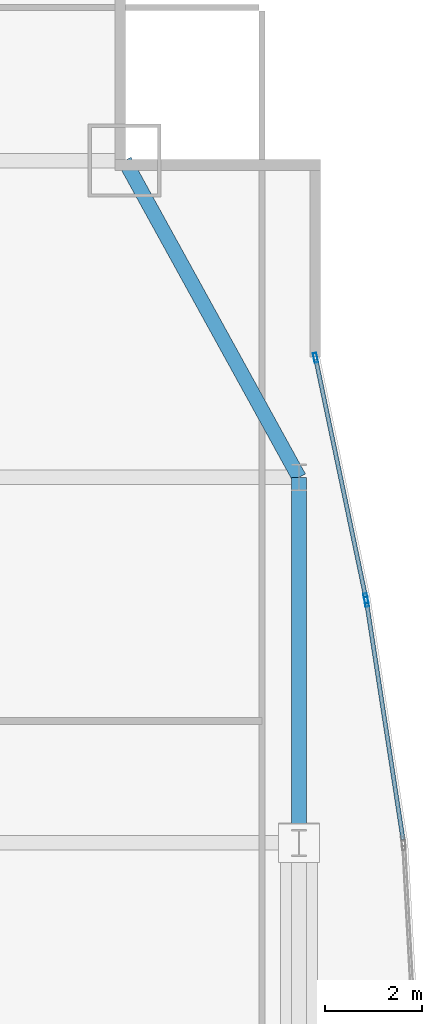
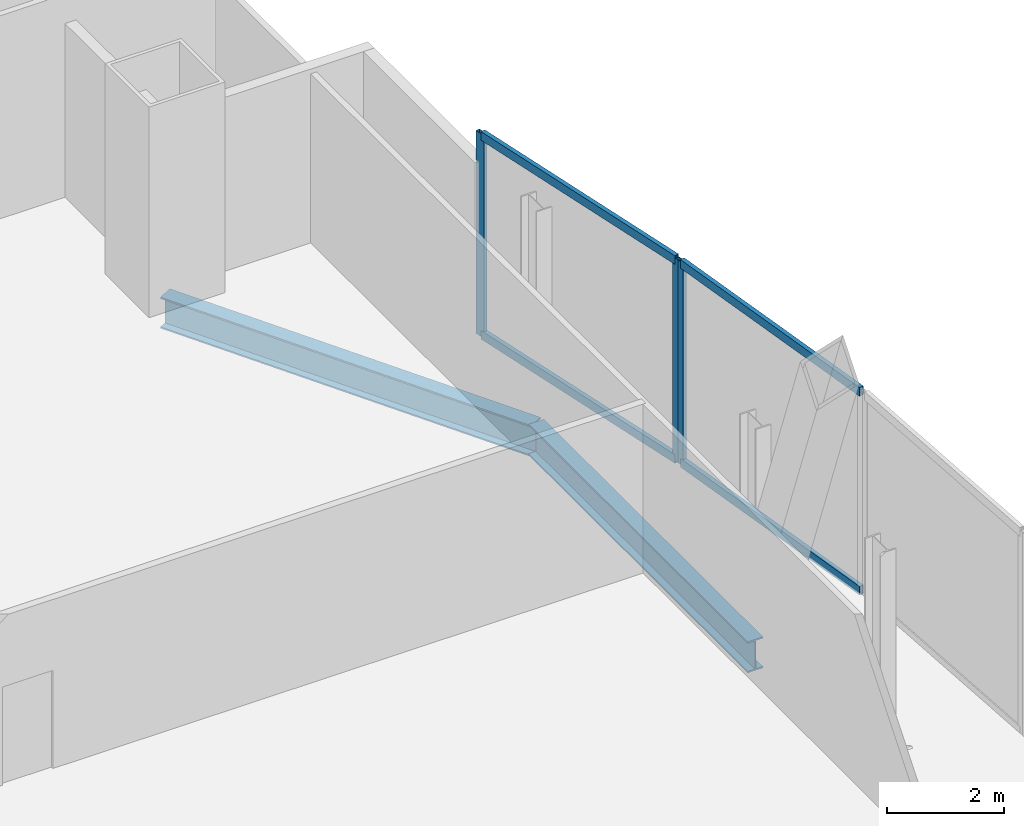
# One storey, part 24 of 32: 7 members, 2 beams, 2 elements without a shape of their own.
"""IFC4 building model written with IfcOpenShell, lengths in metres."""

from ifc_helpers import new_model, si_unit, direction, frame, origin, origin_2d, place, context, subcontext, project, spatial, hollow_rectangle, i_section, extrude, material, material_profile, profile_set, type_object, element, aggregate, save


model = new_model("IFC4")

# Units and contexts
model_context = context("Model", 3, precision=1e-05, world=origin(), true_north=direction((0.0, 1.0)))
body_context = subcontext(model_context, "Body", "Model", "MODEL_VIEW")
ifc_project = project(units=[si_unit("LENGTHUNIT", "METRE"), si_unit("AREAUNIT", "SQUARE_METRE"), si_unit("VOLUMEUNIT", "CUBIC_METRE"), si_unit("PLANEANGLEUNIT", "RADIAN"), si_unit("MASSUNIT", "GRAM", prefix="KILO")], contexts=[model_context])

# Site, building, storey
site_placement = place(None, origin())
site = spatial("IfcSite", under=ifc_project, at=site_placement, CompositionType="ELEMENT")
building_placement = place(site_placement, origin())
building = spatial("IfcBuilding", under=site, at=building_placement, Name="Khoronbel Lancet Exchange", CompositionType="ELEMENT")
storey_placement = place(building_placement, frame((0.0, 0.0, 106.60009765625)))
storey = spatial("IfcBuildingStorey", under=building, at=storey_placement, Name="L25", CompositionType="ELEMENT", Elevation=106.60009765625)

# Beams
ifc_material_1 = material(Name="Steel S355", Category="steel")
ifc_material_profile_1 = material_profile(ifc_material_1, i_section(OverallWidth=0.300048828125, OverallDepth=0.64990234375, WebThickness=0.01611328125, FlangeThickness=0.031005859375, at=origin_2d()), Name="HEB 650")
ifc_profile_set_1 = profile_set([ifc_material_profile_1], Name="Steel S355")
beam_type = type_object("IfcBeamType", Name="BM-BSP1", PredefinedType="SPANDREL", material=ifc_profile_set_1)
beam_1_placement = place(storey_placement, frame((69.6298828125, 35.699951171875, -0.525146484375), z_axis=(0.0, 1.0, 0.0), x_axis=(-1.0, 0.0, 0.0)))
element("IfcBeam", 1, at=beam_1_placement, inside=storey, type_object=beam_type, Name="Level L25 perimeter spandrel beam SP14", PredefinedType="SPANDREL", context=body_context, shape_type="SweptSolid", body=[
    extrude(i_section(OverallWidth=0.300048828125, OverallDepth=0.64990234375, WebThickness=0.01611328125, FlangeThickness=0.031005859375, at=origin_2d()), origin(), (0.0, 0.0, 1.0), 7.5),
])
beam_2_placement = place(storey_placement, frame((69.6298828125, 43.199951171875, -0.525146484375), z_axis=(-0.482418808117, 0.875940690672, 0.0), x_axis=(-0.875940690672, -0.482418808117, 0.0)))
element("IfcBeam", 2, at=beam_2_placement, inside=storey, type_object=beam_type, Name="Level L25 perimeter spandrel beam SP15", PredefinedType="SPANDREL", context=body_context, shape_type="SweptSolid", body=[
    extrude(i_section(OverallWidth=0.300048828125, OverallDepth=0.64990234375, WebThickness=0.01611328125, FlangeThickness=0.031005859375, at=origin_2d()), origin(), (0.0, 0.0, 1.0), 7.420654296875),
])

# Curtain wall, members
ifc_material_2 = material(Name="Low-E Solar Control Insulating Glass", Category="glass")
curtain_wall_type = type_object("IfcCurtainWallType", Name="CW-4", PredefinedType="NOTDEFINED", material=ifc_material_2)
curtain_wall_1_placement = place(storey_placement, origin())
curtain_wall_1 = element("IfcCurtainWall", 3, at=curtain_wall_1_placement, inside=storey, type_object=curtain_wall_type, Name="Unitised curtain wall CW-L25-E17", PredefinedType="NOTDEFINED")
ifc_material_3 = material(Name="Bronze-Anodised Aluminium 6063-T6", Category="aluminium")
ifc_material_profile_2 = material_profile(ifc_material_3, hollow_rectangle(XDim=0.074951171875, YDim=0.199951171875, WallThickness=0.0048828125, at=origin_2d()), Name="ALU MULLION 75x200")
ifc_profile_set_2 = profile_set([ifc_material_profile_2], Name="Bronze-Anodised Aluminium 6063-T6")
member_type_1 = type_object("IfcMemberType", Name="MEM-CWM2", PredefinedType="MULLION", material=ifc_profile_set_2)
member_1_placement = place(storey_placement, frame((69.9677734375, 45.654052734375, 0.0), z_axis=(0.0, 0.0, 1.0), x_axis=(0.97872923306, 0.205156253509, 0.0)))
member_1 = element("IfcMember", 4, at=member_1_placement, type_object=member_type_1, Name="CW4 mullion 1", PredefinedType="MULLION", context=body_context, shape_type="SweptSolid", body=[
    extrude(hollow_rectangle(XDim=0.074951171875, YDim=0.199951171875, WallThickness=0.0048828125, at=origin_2d()), origin(), (0.0, 0.0, 1.0), 4.239990234375),
])
member_2_placement = place(storey_placement, frame((71.001708984375, 40.720703125, 0.0), z_axis=(0.0, 0.0, 1.0), x_axis=(0.97872923306, 0.205156253509, 0.0)))
member_2 = element("IfcMember", 5, at=member_2_placement, type_object=member_type_1, Name="CW4 mullion 2", PredefinedType="MULLION", context=body_context, shape_type="SweptSolid", body=[
    extrude(hollow_rectangle(XDim=0.074951171875, YDim=0.199951171875, WallThickness=0.0048828125, at=origin_2d()), origin(), (0.0, 0.0, 1.0), 4.239990234375),
])

# Curtain wall, member
curtain_wall_2_placement = place(storey_placement, origin())
curtain_wall_2 = element("IfcCurtainWall", 6, at=curtain_wall_2_placement, inside=storey, type_object=curtain_wall_type, Name="Unitised curtain wall CW-L25-E18", PredefinedType="NOTDEFINED")
member_3_placement = place(storey_placement, frame((71.01513671875, 40.646728515625, 0.0), z_axis=(0.0, 0.0, 1.0), x_axis=(0.988428154064, 0.151689763181, 0.0)))
member_3 = element("IfcMember", 7, at=member_3_placement, type_object=member_type_1, Name="CW4 mullion 1", PredefinedType="MULLION", context=body_context, shape_type="SweptSolid", body=[
    extrude(hollow_rectangle(XDim=0.074951171875, YDim=0.199951171875, WallThickness=0.0048828125, at=origin_2d()), origin(), (0.0, 0.0, 1.0), 4.239990234375),
])

# Member
ifc_material_profile_3 = material_profile(ifc_material_3, hollow_rectangle(XDim=0.0849609375, YDim=0.179931640625, WallThickness=0.0048828125, at=origin_2d()), Name="ALU TRANSOM 85x180")
ifc_profile_set_3 = profile_set([ifc_material_profile_3], Name="Bronze-Anodised Aluminium 6063-T6")
member_type_2 = type_object("IfcMemberType", Name="MEM-CWT1", PredefinedType="USERDEFINED", material=ifc_profile_set_3)
member_4_placement = place(storey_placement, frame((69.975341796875, 45.6171875, 0.04248046875), z_axis=(0.205175343624, -0.978725231293, 0.0), x_axis=(0.978725231293, 0.205175343624, 0.0)))
member_4 = element("IfcMember", 8, at=member_4_placement, type_object=member_type_2, Name="CW4 transom 1.1", ObjectType="TRANSOM", PredefinedType="USERDEFINED", context=body_context, shape_type="SweptSolid", body=[
    extrude(hollow_rectangle(XDim=0.0849609375, YDim=0.179931640625, WallThickness=0.0048828125, at=origin_2d()), origin(), (0.0, 0.0, 1.0), 4.965576171875),
])

member_5_placement = place(storey_placement, frame((69.975341796875, 45.6171875, 4.197509765625), z_axis=(0.205175343624, -0.978725231293, 0.0), x_axis=(0.978725231293, 0.205175343624, 0.0)))
member_5 = element("IfcMember", 9, at=member_5_placement, type_object=member_type_2, Name="CW4 transom 1.2", ObjectType="TRANSOM", PredefinedType="USERDEFINED", context=body_context, shape_type="SweptSolid", body=[
    extrude(hollow_rectangle(XDim=0.0849609375, YDim=0.179931640625, WallThickness=0.0048828125, at=origin_2d()), origin(), (0.0, 0.0, 1.0), 4.965576171875),
])

aggregate(curtain_wall_1, [member_1, member_2, member_4, member_5])

member_6_placement = place(storey_placement, frame((71.02099609375, 40.60986328125, 0.04248046875), z_axis=(0.151656715247, -0.988433225221, 0.0), x_axis=(0.988433225221, 0.151656715247, 0.0)))
member_6 = element("IfcMember", 10, at=member_6_placement, type_object=member_type_2, Name="CW4 transom 1.1", ObjectType="TRANSOM", PredefinedType="USERDEFINED", context=body_context, shape_type="SweptSolid", body=[
    extrude(hollow_rectangle(XDim=0.0849609375, YDim=0.179931640625, WallThickness=0.0048828125, at=origin_2d()), origin(), (0.0, 0.0, 1.0), 4.90185546875),
])

member_7_placement = place(storey_placement, frame((71.02099609375, 40.60986328125, 4.197509765625), z_axis=(0.151656715247, -0.988433225221, 0.0), x_axis=(0.988433225221, 0.151656715247, 0.0)))
member_7 = element("IfcMember", 11, at=member_7_placement, type_object=member_type_2, Name="CW4 transom 1.2", ObjectType="TRANSOM", PredefinedType="USERDEFINED", context=body_context, shape_type="SweptSolid", body=[
    extrude(hollow_rectangle(XDim=0.0849609375, YDim=0.179931640625, WallThickness=0.0048828125, at=origin_2d()), origin(), (0.0, 0.0, 1.0), 4.90185546875),
])

aggregate(curtain_wall_2, [member_3, member_6, member_7])

save(model, "model.ifc")
